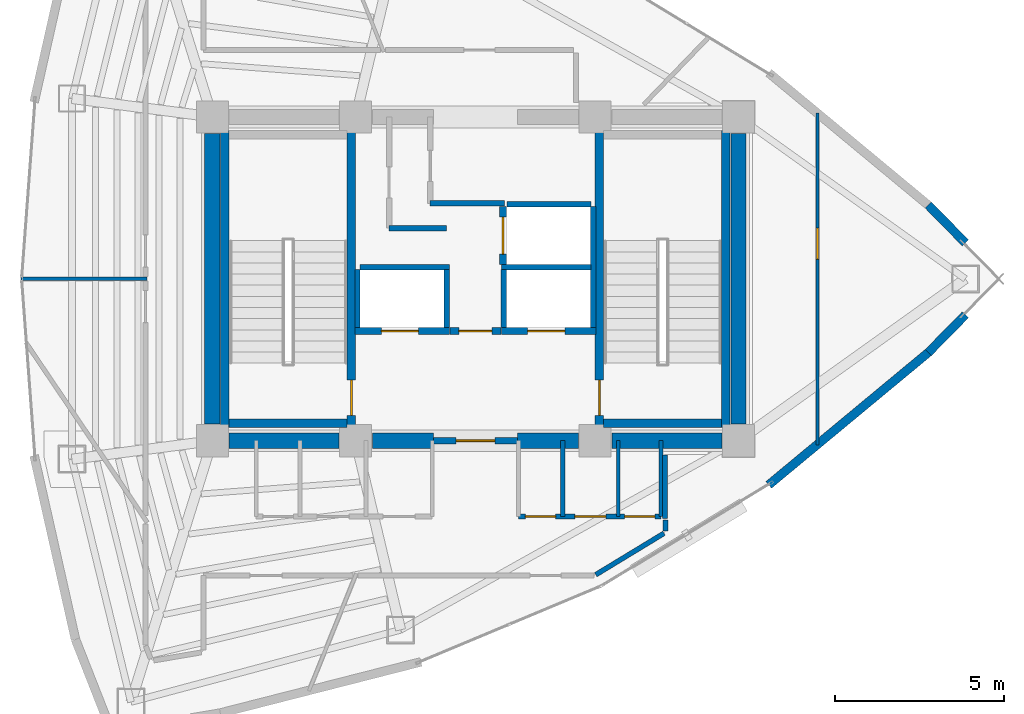
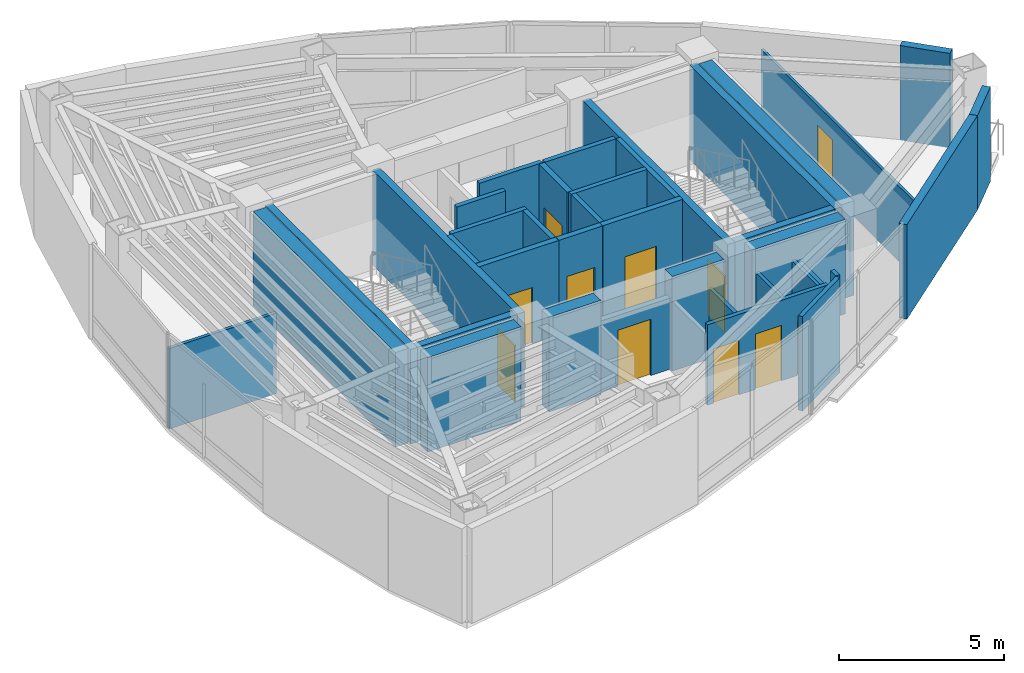
# One storey, part 12 of 15: 38 walls, 11 doors, 11 openings.
"""IFC4 building model written with IfcOpenShell, lengths in metres."""

from ifc_helpers import new_model, si_unit, direction, frame, frame_2d, origin, place, context, subcontext, project, spatial, rectangle, extrude, material, layer, layer_set, type_object, element, fill, save


model = new_model("IFC4")

# Units and contexts
model_context = context("Model", 3, precision=1e-05, world=origin(), true_north=direction((0.0, 1.0)))
body_context = subcontext(model_context, "Body", "Model", "MODEL_VIEW")
ifc_project = project(units=[si_unit("LENGTHUNIT", "METRE"), si_unit("AREAUNIT", "SQUARE_METRE"), si_unit("VOLUMEUNIT", "CUBIC_METRE"), si_unit("PLANEANGLEUNIT", "RADIAN"), si_unit("MASSUNIT", "GRAM", prefix="KILO")], contexts=[model_context])

# Site, building, storey
site_placement = place(None, origin())
site = spatial("IfcSite", under=ifc_project, at=site_placement, CompositionType="ELEMENT")
building_placement = place(site_placement, origin())
building = spatial("IfcBuilding", under=site, at=building_placement, Name="Menara Vayukalpa", CompositionType="ELEMENT")
storey_placement = place(building_placement, frame((0.0, 0.0, 269.4599609375)))
storey = spatial("IfcBuildingStorey", under=building, at=storey_placement, Name="L68", CompositionType="ELEMENT", Elevation=269.4599609375)

# Walls
ifc_material_1 = material(Name="Concrete C50/60", Category="concrete")
ifc_layer_1 = layer(ifc_material_1, 0.449951171875)
ifc_layer_set_1 = layer_set([ifc_layer_1], Name="Concrete C50/60")
wall_type_1 = type_object("IfcWallType", Name="WAL-CW450", PredefinedType="SHEAR", material=ifc_layer_set_1)
wall_1_placement = place(storey_placement, frame((18.294921875, 17.199951171875, 0.0), z_axis=(0.0, 0.0, 1.0), x_axis=(1.0, 0.0, 0.0)))
element("IfcWall", 1, at=wall_1_placement, inside=storey, type_object=wall_type_1, Name="L68 Buttressed Core Shear Wall CWS1", PredefinedType="SHEAR", context=body_context, shape_type="SweptSolid", body=[
    extrude(rectangle(XDim=3.260009765625, YDim=0.449951171875, at=frame_2d((1.6298828125, 0.0))), origin(), (0.0, 0.0, 1.0), 3.5),
])
wall_2_placement = place(storey_placement, frame((22.544921875, 17.199951171875, 0.0), z_axis=(0.0, 0.0, 1.0), x_axis=(1.0, 0.0, 0.0)))
element("IfcWall", 2, at=wall_2_placement, inside=storey, type_object=wall_type_1, Name="L68 Buttressed Core Shear Wall CWS2", PredefinedType="SHEAR", context=body_context, shape_type="SweptSolid", body=[
    extrude(rectangle(XDim=1.80517578125, YDim=0.449951171875, at=frame_2d((0.902587890625, 0.0))), origin(), (0.0, 0.0, 1.0), 3.5),
])
wall_3_placement = place(storey_placement, frame((26.85009765625, 17.199951171875, 0.0), z_axis=(0.0, 0.0, 1.0), x_axis=(1.0, 0.0, 0.0)))
element("IfcWall", 3, at=wall_3_placement, inside=storey, type_object=wall_type_1, Name="L68 Buttressed Core Shear Wall CWS3", PredefinedType="SHEAR", context=body_context, shape_type="SweptSolid", body=[
    extrude(rectangle(XDim=1.804931640625, YDim=0.449951171875, at=frame_2d((0.90234375, 0.0))), origin(), (0.0, 0.0, 1.0), 3.5),
])
wall_4_placement = place(storey_placement, frame((29.64501953125, 17.199951171875, 0.0), z_axis=(0.0, 0.0, 1.0), x_axis=(1.0, 0.0, 0.0)))
element("IfcWall", 4, at=wall_4_placement, inside=storey, type_object=wall_type_1, Name="L68 Buttressed Core Shear Wall CWS4", PredefinedType="SHEAR", context=body_context, shape_type="SweptSolid", body=[
    extrude(rectangle(XDim=3.260009765625, YDim=0.449951171875, at=frame_2d((1.6298828125, 0.0))), origin(), (0.0, 0.0, 1.0), 3.5),
])
for number, where, z_axis, x_axis, name in (
    (5, (17.800048828125, 17.695068359375, 0.0), (0.0, 0.0, 1.0), (0.0, 1.0, 0.0), "L68 Buttressed Core Shear Wall CWW1"),
    (6, (33.39990234375, 17.695068359375, 0.0), (0.0, 0.0, 1.0), (0.0, 1.0, 0.0), "L68 Buttressed Core Shear Wall CWE1"),
):
    element("IfcWall", number, at=place(storey_placement, frame(where, z_axis=z_axis, x_axis=x_axis)), inside=storey, type_object=wall_type_1, Name=name, PredefinedType="SHEAR", context=body_context, shape_type="SweptSolid", body=[
        extrude(rectangle(XDim=8.60986328125, YDim=0.449951171875, at=frame_2d((4.304931640625, 0.0))), origin(), (0.0, 0.0, 1.0), 3.5),
    ])
ifc_material_2 = material(Name="Insulated Precast Concrete C40/50", Category="concrete")
ifc_layer_2 = layer(ifc_material_2, 0.260009765625)
ifc_layer_set_2 = layer_set([ifc_layer_2], Name="Insulated Precast Concrete C40/50")
wall_type_2 = type_object("IfcWallType", Name="WAL-EXT260", PredefinedType="PARTITIONING", material=ifc_layer_set_2)
for number, where, z_axis, x_axis, name in (
    (7, (40.1240234375, 20.932861328125, 0.0), (0.0, 0.0, 1.0), (-0.700470648387, -0.71368121087, 0.0), "L68 Perimeter Terracotta Pier Wall 01"),
    (8, (39.023681640625, 24.188232421875, 0.0), (0.0, 0.0, 1.0), (0.700470648387, -0.71368121087, 0.0), "L68 Perimeter Terracotta Pier Wall 02"),
):
    element("IfcWall", number, at=place(storey_placement, frame(where, z_axis=z_axis, x_axis=x_axis)), inside=storey, type_object=wall_type_2, Name=name, PredefinedType="PARTITIONING", context=body_context, shape_type="SweptSolid", body=[
        extrude(rectangle(XDim=1.57080078125, YDim=0.260009765625, at=frame_2d((0.785400390625, 0.0))), origin(), (0.0, 0.0, 1.0), 3.5),
    ])
wall_5_placement = place(storey_placement, frame((39.032470703125, 19.81982421875, 0.0), z_axis=(0.0, 0.0, 1.0), x_axis=(-0.769779830138, -0.638309496337, 0.0)))
element("IfcWall", 9, at=wall_5_placement, inside=storey, type_object=wall_type_2, Name="L68 Perimeter Terracotta Pier Wall 18", PredefinedType="PARTITIONING", context=body_context, shape_type="SweptSolid", body=[
    extrude(rectangle(XDim=6.154052734375, YDim=0.260009765625, at=frame_2d((3.0771484375, 0.0))), origin(), (0.0, 0.0, 1.0), 3.5),
])
ifc_material_3 = material(Name="Lightweight Concrete Blockwork C16/20", Category="masonry")
ifc_layer_3 = layer(ifc_material_3, 0.159912109375)
ifc_layer_set_3 = layer_set([ifc_layer_3], Name="Lightweight Concrete Blockwork C16/20")
wall_type_3 = type_object("IfcWallType", Name="WAL-FR150", PredefinedType="PARTITIONING", material=ifc_layer_set_3)
for number, where, z_axis, x_axis, name in (
    (10, (22.10498046875, 20.56005859375, 0.0), (0.0, 0.0, 1.0), (0.0, 1.0, 0.0), "L68 Interior Partition IW-L68-SHW-WW"),
    (11, (24.7548828125, 20.56005859375, 0.0), (0.0, 0.0, 1.0), (0.0, 1.0, 0.0), "L68 Interior Partition IW-L68-SHW-W1E"),
):
    element("IfcWall", number, at=place(storey_placement, frame(where, z_axis=z_axis, x_axis=x_axis)), inside=storey, type_object=wall_type_3, Name=name, PredefinedType="PARTITIONING", context=body_context, shape_type="SweptSolid", body=[
        extrude(rectangle(XDim=1.7099609375, YDim=0.159912109375, at=frame_2d((0.85498046875, 0.0))), origin(), (0.0, 0.0, 1.0), 3.5),
    ])
wall_6_placement = place(storey_placement, frame((22.179931640625, 22.344970703125, 0.0), z_axis=(0.0, 0.0, 1.0), x_axis=(1.0, 0.0, 0.0)))
element("IfcWall", 12, at=wall_6_placement, inside=storey, type_object=wall_type_3, Name="L68 Interior Partition IW-L68-SHM-W12", PredefinedType="PARTITIONING", context=body_context, shape_type="SweptSolid", body=[
    extrude(rectangle(XDim=2.650146484375, YDim=0.159912109375, at=frame_2d((1.3251953125, 0.0))), origin(), (0.0, 0.0, 1.0), 3.5),
])
wall_7_placement = place(storey_placement, frame((29.094970703125, 20.56005859375, 0.0), z_axis=(0.0, 0.0, 1.0), x_axis=(0.0, 1.0, 0.0)))
element("IfcWall", 13, at=wall_7_placement, inside=storey, type_object=wall_type_3, Name="L68 Interior Partition IW-L68-SHW-EE", PredefinedType="PARTITIONING", context=body_context, shape_type="SweptSolid", body=[
    extrude(rectangle(XDim=3.579833984375, YDim=0.159912109375, at=frame_2d((1.7900390625, 0.0))), origin(), (0.0, 0.0, 1.0), 3.5),
])
wall_8_placement = place(storey_placement, frame((26.445068359375, 20.56005859375, 0.0), z_axis=(0.0, 0.0, 1.0), x_axis=(0.0, 1.0, 0.0)))
element("IfcWall", 14, at=wall_8_placement, inside=storey, type_object=wall_type_3, Name="L68 Interior Partition IW-L68-SHW-E1W", PredefinedType="PARTITIONING", context=body_context, shape_type="SweptSolid", body=[
    extrude(rectangle(XDim=1.7099609375, YDim=0.159912109375, at=frame_2d((0.85498046875, 0.0))), origin(), (0.0, 0.0, 1.0), 3.5),
])
wall_9_placement = place(storey_placement, frame((26.3701171875, 22.344970703125, 0.0), z_axis=(0.0, 0.0, 1.0), x_axis=(1.0, 0.0, 0.0)))
element("IfcWall", 15, at=wall_9_placement, inside=storey, type_object=wall_type_3, Name="L68 Interior Partition IW-L68-SHM-E13", PredefinedType="PARTITIONING", context=body_context, shape_type="SweptSolid", body=[
    extrude(rectangle(XDim=2.64990234375, YDim=0.159912109375, at=frame_2d((1.324951171875, 0.0))), origin(), (0.0, 0.0, 1.0), 3.5),
])
wall_10_placement = place(storey_placement, frame((26.530029296875, 24.215087890625, 0.0), z_axis=(0.0, 0.0, 1.0), x_axis=(1.0, 0.0, 0.0)))
element("IfcWall", 16, at=wall_10_placement, inside=storey, type_object=wall_type_3, Name="L68 Interior Partition IW-L68-SHM-E32", PredefinedType="PARTITIONING", context=body_context, shape_type="SweptSolid", body=[
    extrude(rectangle(XDim=2.489990234375, YDim=0.159912109375, at=frame_2d((1.2451171875, 0.0))), origin(), (0.0, 0.0, 1.0), 3.5),
])
wall_11_placement = place(storey_placement, frame((23.0400390625, 23.5, 0.0), z_axis=(0.0, 0.0, 1.0), x_axis=(1.0, 0.0, 0.0)))
element("IfcWall", 17, at=wall_11_placement, inside=storey, type_object=wall_type_3, Name="L68 Interior Partition IW-L68-LV7WA", PredefinedType="PARTITIONING", context=body_context, shape_type="SweptSolid", body=[
    extrude(rectangle(XDim=1.699951171875, YDim=0.159912109375, at=frame_2d((0.85009765625, 0.0))), origin(), (0.0, 0.0, 1.0), 3.5),
])
wall_12_placement = place(storey_placement, frame((24.260009765625, 24.239990234375, 0.0), z_axis=(0.0, 0.0, 1.0), x_axis=(1.0, 0.0, 0.0)))
element("IfcWall", 18, at=wall_12_placement, inside=storey, type_object=wall_type_3, Name="L68 Interior Partition IW-L68-LV7EA", PredefinedType="PARTITIONING", context=body_context, shape_type="SweptSolid", body=[
    extrude(rectangle(XDim=2.199951171875, YDim=0.159912109375, at=frame_2d((1.10009765625, 0.0))), origin(), (0.0, 0.0, 1.0), 3.5),
])

# Wall, opening, door
ifc_material_4 = material(Name="Lightweight Concrete Blockwork C16/20", Category="masonry")
ifc_layer_4 = layer(ifc_material_4, 0.199951171875)
ifc_layer_set_4 = layer_set([ifc_layer_4], Name="Lightweight Concrete Blockwork C16/20")
wall_type_4 = type_object("IfcWallType", Name="WAL-FR200", PredefinedType="PARTITIONING", material=ifc_layer_set_4)
wall_13_placement = place(storey_placement, frame((24.35009765625, 17.199951171875, 0.0), z_axis=(0.0, 0.0, 1.0), x_axis=(1.0, 0.0, 0.0)))
wall_13 = element("IfcWall", 19, at=wall_13_placement, inside=storey, type_object=wall_type_4, Name="L68 Interior Partition IW-L68-FFLS", PredefinedType="PARTITIONING", context=body_context, shape_type="SweptSolid", body=[
    extrude(rectangle(XDim=2.5, YDim=0.199951171875, at=frame_2d((1.25, 0.0))), origin(), (0.0, 0.0, 1.0), 2.630126953125),
])
opening_1_placement = place(wall_13_placement, frame((0.679931640625, 0.0, 0.0)))
opening_1 = element("IfcOpeningElement", 20, at=opening_1_placement, cuts=wall_13, Name="Opening ID2", PredefinedType="OPENING", context=body_context, shape_type="SweptSolid", body=[
    extrude(rectangle(XDim=1.14990234375, YDim=2.080078125, at=frame_2d((0.574951171875, 1.0400390625))), frame((0.0, 0.10986328125, 0.0), z_axis=(0.0, -1.0, 0.0), x_axis=(1.0, 0.0, 0.0)), (0.0, 0.0, 1.0), 0.219970703125),
])
ifc_material_5 = material(Name="Fire-Rated Powder-Coated Steel Door", Category="steel")
door_type_1 = type_object("IfcDoorType", Name="DR-FD60W", OperationType="NOTDEFINED", PredefinedType="DOOR", material=ifc_material_5)
door_1_placement = place(opening_1_placement, origin())
door_1 = element("IfcDoor", 21, at=door_1_placement, inside=storey, type_object=door_type_1, Name="L68 Interior Door DR-L68-FFLS", OperationType="SINGLE_SWING_RIGHT", OverallHeight=2.080078125, OverallWidth=1.14990234375, PredefinedType="DOOR", context=body_context, shape_type="SweptSolid", body=[
    extrude(rectangle(XDim=1.14990234375, YDim=2.080078125, at=frame_2d((0.574951171875, 1.0400390625))), frame((0.0, 0.02490234375, 0.0), z_axis=(0.0, -1.0, 0.0), x_axis=(1.0, 0.0, 0.0)), (0.0, 0.0, 1.0), 0.050048828125),
])
fill(opening_1, door_1)

wall_14_placement = place(storey_placement, frame((24.840087890625, 20.449951171875, 0.0), z_axis=(0.0, 0.0, 1.0), x_axis=(1.0, 0.0, 0.0)))
wall_14 = element("IfcWall", 22, at=wall_14_placement, inside=storey, type_object=wall_type_4, Name="L68 Interior Partition IW-L68-FFLN", PredefinedType="PARTITIONING", context=body_context, shape_type="SweptSolid", body=[
    extrude(rectangle(XDim=1.52001953125, YDim=0.199951171875, at=frame_2d((0.760009765625, 0.0))), origin(), (0.0, 0.0, 1.0), 3.5),
])
opening_2_placement = place(wall_14_placement, frame((0.27001953125, 0.0, 0.0)))
opening_2 = element("IfcOpeningElement", 23, at=opening_2_placement, cuts=wall_14, Name="Opening ID3", PredefinedType="OPENING", context=body_context, shape_type="SweptSolid", body=[
    extrude(rectangle(XDim=0.97998046875, YDim=2.06005859375, at=frame_2d((0.489990234375, 1.030029296875))), frame((0.0, 0.10986328125, 0.0), z_axis=(0.0, -1.0, 0.0), x_axis=(1.0, 0.0, 0.0)), (0.0, 0.0, 1.0), 0.219970703125),
])
ifc_material_6 = material(Name="Fire-Rated Powder-Coated Steel Door", Category="steel")
door_type_2 = type_object("IfcDoorType", Name="DR-FD60", OperationType="NOTDEFINED", PredefinedType="DOOR", material=ifc_material_6)
door_2_placement = place(opening_2_placement, origin())
door_2 = element("IfcDoor", 24, at=door_2_placement, inside=storey, type_object=door_type_2, Name="L68 Interior Door DR-L68-FFLN", OperationType="SINGLE_SWING_LEFT", OverallHeight=2.06005859375, OverallWidth=0.97998046875, PredefinedType="DOOR", context=body_context, shape_type="SweptSolid", body=[
    extrude(rectangle(XDim=0.97998046875, YDim=2.06005859375, at=frame_2d((0.489990234375, 1.030029296875))), frame((0.0, 0.02490234375, 0.0), z_axis=(0.0, -1.0, 0.0), x_axis=(1.0, 0.0, 0.0)), (0.0, 0.0, 1.0), 0.050048828125),
])
fill(opening_2, door_2)

wall_15_placement = place(storey_placement, frame((22.030029296875, 20.449951171875, 0.0), z_axis=(0.0, 0.0, 1.0), x_axis=(1.0, 0.0, 0.0)))
wall_15 = element("IfcWall", 25, at=wall_15_placement, inside=storey, type_object=wall_type_4, Name="L68 Interior Partition IW-L68-SH-W1", PredefinedType="PARTITIONING", context=body_context, shape_type="SweptSolid", body=[
    extrude(rectangle(XDim=2.800048828125, YDim=0.199951171875, at=frame_2d((1.39990234375, 0.0))), origin(), (0.0, 0.0, 1.0), 3.5),
])
opening_3_placement = place(wall_15_placement, frame((0.780029296875, 0.0, 0.0)))
opening_3 = element("IfcOpeningElement", 26, at=opening_3_placement, cuts=wall_15, Name="Opening LD1", PredefinedType="OPENING", context=body_context, shape_type="SweptSolid", body=[
    extrude(rectangle(XDim=1.10009765625, YDim=2.080078125, at=frame_2d((0.550048828125, 1.0400390625))), frame((0.0, 0.10986328125, 0.0), z_axis=(0.0, -1.0, 0.0), x_axis=(1.0, 0.0, 0.0)), (0.0, 0.0, 1.0), 0.219970703125),
])
ifc_material_7 = material(Name="Brushed Stainless Steel 316 Lift Door", Category="steel")
door_type_3 = type_object("IfcDoorType", Name="DR-LD110", OperationType="NOTDEFINED", PredefinedType="DOOR", material=ifc_material_7)
door_3_placement = place(opening_3_placement, origin())
door_3 = element("IfcDoor", 27, at=door_3_placement, inside=storey, type_object=door_type_3, Name="L68 Interior Door DR-L68-LD-W1", OperationType="DOUBLE_DOOR_SLIDING", OverallHeight=2.080078125, OverallWidth=1.10009765625, PredefinedType="DOOR", context=body_context, shape_type="SweptSolid", body=[
    extrude(rectangle(XDim=1.10009765625, YDim=2.080078125, at=frame_2d((0.550048828125, 1.0400390625))), frame((0.0, 0.02490234375, 0.0), z_axis=(0.0, -1.0, 0.0), x_axis=(1.0, 0.0, 0.0)), (0.0, 0.0, 1.0), 0.050048828125),
])
fill(opening_3, door_3)

wall_16_placement = place(storey_placement, frame((26.3701171875, 20.449951171875, 0.0), z_axis=(0.0, 0.0, 1.0), x_axis=(1.0, 0.0, 0.0)))
wall_16 = element("IfcWall", 28, at=wall_16_placement, inside=storey, type_object=wall_type_4, Name="L68 Interior Partition IW-L68-SH-E1", PredefinedType="PARTITIONING", context=body_context, shape_type="SweptSolid", body=[
    extrude(rectangle(XDim=2.7998046875, YDim=0.199951171875, at=frame_2d((1.39990234375, 0.0))), origin(), (0.0, 0.0, 1.0), 3.5),
])
opening_4_placement = place(wall_16_placement, frame((0.780029296875, 0.0, 0.0)))
opening_4 = element("IfcOpeningElement", 29, at=opening_4_placement, cuts=wall_16, Name="Opening LD1", PredefinedType="OPENING", context=body_context, shape_type="SweptSolid", body=[
    extrude(rectangle(XDim=1.10009765625, YDim=2.080078125, at=frame_2d((0.550048828125, 1.0400390625))), frame((0.0, 0.10986328125, 0.0), z_axis=(0.0, -1.0, 0.0), x_axis=(1.0, 0.0, 0.0)), (0.0, 0.0, 1.0), 0.219970703125),
])
door_4_placement = place(opening_4_placement, origin())
door_4 = element("IfcDoor", 30, at=door_4_placement, inside=storey, type_object=door_type_3, Name="L68 Interior Door DR-L68-LD-E1", OperationType="DOUBLE_DOOR_SLIDING", OverallHeight=2.080078125, OverallWidth=1.10009765625, PredefinedType="DOOR", context=body_context, shape_type="SweptSolid", body=[
    extrude(rectangle(XDim=1.10009765625, YDim=2.080078125, at=frame_2d((0.550048828125, 1.0400390625))), frame((0.0, 0.02490234375, 0.0), z_axis=(0.0, -1.0, 0.0), x_axis=(1.0, 0.0, 0.0)), (0.0, 0.0, 1.0), 0.050048828125),
])
fill(opening_4, door_4)

wall_17_placement = place(storey_placement, frame((26.419921875, 22.419921875, 0.0), z_axis=(0.0, 0.0, 1.0), x_axis=(0.0, 1.0, 0.0)))
wall_17 = element("IfcWall", 31, at=wall_17_placement, inside=storey, type_object=wall_type_4, Name="L68 Interior Partition IW-L68-SH-E3", PredefinedType="PARTITIONING", context=body_context, shape_type="SweptSolid", body=[
    extrude(rectangle(XDim=1.719970703125, YDim=0.199951171875, at=frame_2d((0.85986328125, 0.0))), origin(), (0.0, 0.0, 1.0), 3.5),
])
opening_5_placement = place(wall_17_placement, frame((0.31005859375, 0.0, 0.0)))
opening_5 = element("IfcOpeningElement", 32, at=opening_5_placement, cuts=wall_17, Name="Opening LD1", PredefinedType="OPENING", context=body_context, shape_type="SweptSolid", body=[
    extrude(rectangle(XDim=1.10009765625, YDim=2.080078125, at=frame_2d((0.550048828125, 1.0400390625))), frame((0.0, 0.10986328125, 0.0), z_axis=(0.0, -1.0, 0.0), x_axis=(1.0, 0.0, 0.0)), (0.0, 0.0, 1.0), 0.219970703125),
])
door_5_placement = place(opening_5_placement, origin())
door_5 = element("IfcDoor", 33, at=door_5_placement, inside=storey, type_object=door_type_3, Name="L68 Interior Door DR-L68-LD-E3", OperationType="DOUBLE_DOOR_SLIDING", OverallHeight=2.080078125, OverallWidth=1.10009765625, PredefinedType="DOOR", context=body_context, shape_type="SweptSolid", body=[
    extrude(rectangle(XDim=1.10009765625, YDim=2.080078125, at=frame_2d((0.550048828125, 1.0400390625))), frame((0.0, 0.02490234375, 0.0), z_axis=(0.0, -1.0, 0.0), x_axis=(1.0, 0.0, 0.0)), (0.0, 0.0, 1.0), 0.050048828125),
])
fill(opening_5, door_5)

ifc_material_8 = material(Name="Glazed Demountable Office Partition", Category="glass")
ifc_layer_5 = layer(ifc_material_8, 0.094970703125)
ifc_layer_set_5 = layer_set([ifc_layer_5], Name="Glazed Demountable Office Partition")
wall_type_5 = type_object("IfcWallType", Name="WAL-PT100", PredefinedType="PARTITIONING", material=ifc_layer_set_5)
wall_18_placement = place(storey_placement, frame((35.741943359375, 17.078369140625, 0.0), z_axis=(0.0, 0.0, 1.0), x_axis=(0.0, 1.0, 0.0)))
wall_18 = element("IfcWall", 34, at=wall_18_placement, inside=storey, type_object=wall_type_5, Name="L68 Interior Partition IW-L68-RDIV06", PredefinedType="PARTITIONING", context=body_context, shape_type="SweptSolid", body=[
    extrude(rectangle(XDim=9.84326171875, YDim=0.094970703125, at=frame_2d((4.921630859375, 0.0))), origin(), (0.0, 0.0, 1.0), 2.780029296875),
])
opening_6_placement = place(wall_18_placement, frame((5.507080078125, 0.0, 0.0)))
opening_6 = element("IfcOpeningElement", 35, at=opening_6_placement, cuts=wall_18, Name="Opening ID6", PredefinedType="OPENING", context=body_context, shape_type="SweptSolid", body=[
    extrude(rectangle(XDim=0.919921875, YDim=2.050048828125, at=frame_2d((0.4599609375, 1.02490234375))), frame((0.0, 0.057373046875, 0.0), z_axis=(0.0, -1.0, 0.0), x_axis=(1.0, 0.0, 0.0)), (0.0, 0.0, 1.0), 0.114990234375),
])
ifc_material_9 = material(Name="Acoustic Hardwood Veneer Timber Door", Category="wood")
door_type_4 = type_object("IfcDoorType", Name="DR-INT92", OperationType="NOTDEFINED", PredefinedType="DOOR", material=ifc_material_9)
door_6_placement = place(opening_6_placement, origin())
door_6 = element("IfcDoor", 36, at=door_6_placement, inside=storey, type_object=door_type_4, Name="L68 Interior Door DR-L68-STE05", OperationType="SINGLE_SWING_LEFT", OverallHeight=2.050048828125, OverallWidth=0.919921875, PredefinedType="DOOR", context=body_context, shape_type="SweptSolid", body=[
    extrude(rectangle(XDim=0.919921875, YDim=2.050048828125, at=frame_2d((0.4599609375, 1.02490234375))), frame((0.0, 0.02490234375, 0.0), z_axis=(0.0, -1.0, 0.0), x_axis=(1.0, 0.0, 0.0)), (0.0, 0.0, 1.0), 0.050048828125),
])
fill(opening_6, door_6)

# Walls
ifc_material_10 = material(Name="Acoustic Mineral Stud Partition", Category="masonry")
ifc_layer_6 = layer(ifc_material_10, 0.110107421875)
ifc_layer_set_6 = layer_set([ifc_layer_6], Name="Acoustic Mineral Stud Partition")
wall_type_6 = type_object("IfcWallType", Name="WAL-PT110", PredefinedType="PARTITIONING", material=ifc_layer_set_6)
wall_19_placement = place(storey_placement, frame((29.830078125, 14.949951171875, 0.0), z_axis=(0.0, 0.0, 1.0), x_axis=(0.0, 1.0, 0.0)))
element("IfcWall", 37, at=wall_19_placement, inside=storey, type_object=wall_type_6, Name="L68 Interior Partition IW-L68-SVCD-07", PredefinedType="PARTITIONING", context=body_context, shape_type="SweptSolid", body=[
    extrude(rectangle(XDim=2.25, YDim=0.110107421875, at=frame_2d((1.125, 0.0))), origin(), (0.0, 0.0, 1.0), 2.630126953125),
])
wall_20_placement = place(storey_placement, frame((15.8701171875, 22.0, 0.0), z_axis=(0.0, 0.0, 1.0), x_axis=(-1.0, 0.0, 0.0)))
element("IfcWall", 38, at=wall_20_placement, inside=storey, type_object=wall_type_6, Name="L68 Interior Partition IW-L68-RDIV03", PredefinedType="PARTITIONING", context=body_context, shape_type="SweptSolid", body=[
    extrude(rectangle(XDim=3.7421875, YDim=0.110107421875, at=frame_2d((1.87109375, 0.0))), origin(), (0.0, 0.0, 1.0), 2.97998046875),
])
ifc_material_11 = material(Name="Gypsum Drywall Steel Stud Assembly", Category="steel")
ifc_layer_7 = layer(ifc_material_11, 0.125)
ifc_layer_set_7 = layer_set([ifc_layer_7], Name="Gypsum Drywall Steel Stud Assembly")
wall_type_7 = type_object("IfcWallType", Name="WAL-PT125", PredefinedType="PARTITIONING", material=ifc_layer_set_7)
for number, where, z_axis, x_axis, name in (
    (39, (28.18994140625, 14.949951171875, 0.0), (0.0, 0.0, 1.0), (0.0, 1.0, 0.0), "L68 Interior Partition IW-L68-SVCD-06"),
    (40, (31.10009765625, 14.949951171875, 0.0), (0.0, 0.0, 1.0), (0.0, 1.0, 0.0), "L68 Interior Partition IW-L68-SVCD-08"),
):
    element("IfcWall", number, at=place(storey_placement, frame(where, z_axis=z_axis, x_axis=x_axis)), inside=storey, type_object=wall_type_7, Name=name, PredefinedType="PARTITIONING", context=body_context, shape_type="SweptSolid", body=[
        extrude(rectangle(XDim=2.25, YDim=0.125, at=frame_2d((1.125, 0.0))), origin(), (0.0, 0.0, 1.0), 2.630126953125),
    ])

# Wall, openings, doors
ifc_material_12 = material(Name="Gypsum Drywall Acoustic Stud Assembly", Category="masonry")
ifc_layer_8 = layer(ifc_material_12, 0.14501953125)
ifc_layer_set_8 = layer_set([ifc_layer_8], Name="Gypsum Drywall Acoustic Stud Assembly")
wall_type_8 = type_object("IfcWallType", Name="WAL-PT150", PredefinedType="PARTITIONING", material=ifc_layer_set_8)
wall_21_placement = place(storey_placement, frame((26.8798828125, 14.949951171875, 0.0), z_axis=(0.0, 0.0, 1.0), x_axis=(1.0, 0.0, 0.0)))
wall_21 = element("IfcWall", 41, at=wall_21_placement, inside=storey, type_object=wall_type_8, Name="L68 Interior Partition IW-L68-SVCS-E", PredefinedType="PARTITIONING", context=body_context, shape_type="SweptSolid", body=[
    extrude(rectangle(XDim=4.22021484375, YDim=0.14501953125, at=frame_2d((2.110107421875, 0.0))), origin(), (0.0, 0.0, 1.0), 2.97998046875),
])
opening_7_placement = place(wall_21_placement, frame((0.199951171875, 0.0, 0.0)))
opening_7 = element("IfcOpeningElement", 42, at=opening_7_placement, cuts=wall_21, Name="Opening ID7", PredefinedType="OPENING", context=body_context, shape_type="SweptSolid", body=[
    extrude(rectangle(XDim=0.89990234375, YDim=2.02001953125, at=frame_2d((0.449951171875, 1.010009765625))), frame((0.0, 0.08251953125, 0.0), z_axis=(0.0, -1.0, 0.0), x_axis=(1.0, 0.0, 0.0)), (0.0, 0.0, 1.0), 0.1650390625),
])
opening_8_placement = place(wall_21_placement, frame((1.669921875, 0.0, 0.0)))
opening_8 = element("IfcOpeningElement", 43, at=opening_8_placement, cuts=wall_21, Name="Opening ID6", PredefinedType="OPENING", context=body_context, shape_type="SweptSolid", body=[
    extrude(rectangle(XDim=0.919921875, YDim=2.050048828125, at=frame_2d((0.4599609375, 1.02490234375))), frame((0.0, 0.08251953125, 0.0), z_axis=(0.0, -1.0, 0.0), x_axis=(1.0, 0.0, 0.0)), (0.0, 0.0, 1.0), 0.1650390625),
])
opening_9_placement = place(wall_21_placement, frame((3.139892578125, 0.0, 0.0)))
opening_9 = element("IfcOpeningElement", 44, at=opening_9_placement, cuts=wall_21, Name="Opening ID7", PredefinedType="OPENING", context=body_context, shape_type="SweptSolid", body=[
    extrude(rectangle(XDim=0.89990234375, YDim=2.02001953125, at=frame_2d((0.449951171875, 1.010009765625))), frame((0.0, 0.08251953125, 0.0), z_axis=(0.0, -1.0, 0.0), x_axis=(1.0, 0.0, 0.0)), (0.0, 0.0, 1.0), 0.1650390625),
])
door_7_placement = place(opening_8_placement, origin())
door_7 = element("IfcDoor", 45, at=door_7_placement, inside=storey, type_object=door_type_4, Name="L68 Interior Door DR-L68-KSV2", OperationType="SINGLE_SWING_RIGHT", OverallHeight=2.050048828125, OverallWidth=0.919921875, PredefinedType="DOOR", context=body_context, shape_type="SweptSolid", body=[
    extrude(rectangle(XDim=0.919921875, YDim=2.050048828125, at=frame_2d((0.4599609375, 1.02490234375))), frame((0.0, 0.02490234375, 0.0), z_axis=(0.0, -1.0, 0.0), x_axis=(1.0, 0.0, 0.0)), (0.0, 0.0, 1.0), 0.050048828125),
])
fill(opening_8, door_7)
ifc_material_13 = material(Name="Powder-Coated Steel Riser Access Door", Category="steel")
door_type_5 = type_object("IfcDoorType", Name="DR-RISER", OperationType="NOTDEFINED", PredefinedType="DOOR", material=ifc_material_13)
door_8_placement = place(opening_7_placement, origin())
door_8 = element("IfcDoor", 46, at=door_8_placement, inside=storey, type_object=door_type_5, Name="L68 Interior Door DR-L68-KSV1", OperationType="SINGLE_SWING_LEFT", OverallHeight=2.02001953125, OverallWidth=0.89990234375, PredefinedType="DOOR", context=body_context, shape_type="SweptSolid", body=[
    extrude(rectangle(XDim=0.89990234375, YDim=2.02001953125, at=frame_2d((0.449951171875, 1.010009765625))), frame((0.0, 0.02490234375, 0.0), z_axis=(0.0, -1.0, 0.0), x_axis=(1.0, 0.0, 0.0)), (0.0, 0.0, 1.0), 0.050048828125),
])
fill(opening_7, door_8)
door_9_placement = place(opening_9_placement, origin())
door_9 = element("IfcDoor", 47, at=door_9_placement, inside=storey, type_object=door_type_5, Name="L68 Interior Door DR-L68-SMD", OperationType="SINGLE_SWING_LEFT", OverallHeight=2.02001953125, OverallWidth=0.89990234375, PredefinedType="DOOR", context=body_context, shape_type="SweptSolid", body=[
    extrude(rectangle(XDim=0.89990234375, YDim=2.02001953125, at=frame_2d((0.449951171875, 1.010009765625))), frame((0.0, 0.02490234375, 0.0), z_axis=(0.0, -1.0, 0.0), x_axis=(1.0, 0.0, 0.0)), (0.0, 0.0, 1.0), 0.050048828125),
])
fill(opening_9, door_9)

# Walls
wall_22_placement = place(storey_placement, frame((29.167724609375, 13.228515625, 0.0), z_axis=(0.0, 0.0, 1.0), x_axis=(0.854678044033, 0.519158396876, 0.0)))
element("IfcWall", 48, at=wall_22_placement, inside=storey, type_object=wall_type_8, Name="L68 Interior Partition IW-L68-CRM04-2", PredefinedType="PARTITIONING", context=body_context, shape_type="SweptSolid", body=[
    extrude(rectangle(XDim=2.36767578125, YDim=0.14501953125, at=frame_2d((1.183837890625, 0.0))), origin(), (0.0, 0.0, 1.0), 3.5),
])
wall_23_placement = place(storey_placement, frame((31.22998046875, 14.526123046875, 0.0), z_axis=(0.0, 0.0, 1.0), x_axis=(0.0, 1.0, 0.0)))
element("IfcWall", 49, at=wall_23_placement, inside=storey, type_object=wall_type_8, Name="L68 Interior Partition IW-L68-CRM04-3", PredefinedType="PARTITIONING", context=body_context, shape_type="SweptSolid", body=[
    extrude(rectangle(XDim=0.323974609375, YDim=0.14501953125, at=frame_2d((0.162109375, 0.0))), origin(), (0.0, 0.0, 1.0), 3.5),
])
wall_24_placement = place(storey_placement, frame((31.219970703125, 14.888671875, 0.0), z_axis=(0.0, 0.0, 1.0), x_axis=(0.0, 1.0, 0.0)))
element("IfcWall", 50, at=wall_24_placement, inside=storey, type_object=wall_type_8, Name="L68 Interior Partition IW-L68-CRM04-4", PredefinedType="PARTITIONING", context=body_context, shape_type="SweptSolid", body=[
    extrude(rectangle(XDim=1.891357421875, YDim=0.14501953125, at=frame_2d((0.94580078125, 0.0))), origin(), (0.0, 0.0, 1.0), 2.630126953125),
])
ifc_material_14 = material(Name="Concrete C50/60", Category="concrete")
ifc_layer_9 = layer(ifc_material_14, 0.25)
ifc_layer_set_9 = layer_set([ifc_layer_9], Name="Concrete C50/60")
wall_type_9 = type_object("IfcWallType", Name="WAL-SW250", PredefinedType="SHEAR", material=ifc_layer_set_9)
wall_25_placement = place(storey_placement, frame((18.175048828125, 17.60009765625, 0.0), z_axis=(0.0, 0.0, 1.0), x_axis=(0.0, 1.0, 0.0)))
element("IfcWall", 51, at=wall_25_placement, inside=storey, type_object=wall_type_9, Name="L68 ST1 Structural Stair Shaft Wall W", PredefinedType="SHEAR", context=body_context, shape_type="SweptSolid", body=[
    extrude(rectangle(XDim=8.7998046875, YDim=0.25, at=frame_2d((4.39990234375, 0.0))), origin(), (0.0, 0.0, 1.0), 3.5),
])

# Wall, opening, door
wall_26_placement = place(storey_placement, frame((21.925048828125, 17.60009765625, 0.0), z_axis=(0.0, 0.0, 1.0), x_axis=(0.0, 1.0, 0.0)))
wall_26 = element("IfcWall", 52, at=wall_26_placement, inside=storey, type_object=wall_type_9, Name="L68 ST1 Structural Stair Shaft Wall E", PredefinedType="SHEAR", context=body_context, shape_type="SweptSolid", body=[
    extrude(rectangle(XDim=8.7998046875, YDim=0.25, at=frame_2d((4.39990234375, 0.0))), origin(), (0.0, 0.0, 1.0), 3.5),
])
opening_10_placement = place(wall_26_placement, frame((0.35009765625, 0.0, 0.0)))
opening_10 = element("IfcOpeningElement", 53, at=opening_10_placement, cuts=wall_26, Name="Opening ID1", PredefinedType="OPENING", context=body_context, shape_type="SweptSolid", body=[
    extrude(rectangle(XDim=1.050048828125, YDim=2.080078125, at=frame_2d((0.52490234375, 1.0400390625))), frame((0.0, 0.135009765625, 0.0), z_axis=(0.0, -1.0, 0.0), x_axis=(1.0, 0.0, 0.0)), (0.0, 0.0, 1.0), 0.27001953125),
])
ifc_material_15 = material(Name="Fire-Rated Powder-Coated Steel Door", Category="steel")
door_type_6 = type_object("IfcDoorType", Name="DR-FD120", OperationType="NOTDEFINED", PredefinedType="DOOR", material=ifc_material_15)
door_10_placement = place(opening_10_placement, origin())
door_10 = element("IfcDoor", 54, at=door_10_placement, inside=storey, type_object=door_type_6, Name="L68 Stair Exit Door DR-L68-ST1", OperationType="SINGLE_SWING_LEFT", OverallHeight=2.080078125, OverallWidth=1.050048828125, PredefinedType="DOOR", context=body_context, shape_type="SweptSolid", body=[
    extrude(rectangle(XDim=1.050048828125, YDim=2.080078125, at=frame_2d((0.52490234375, 1.0400390625))), frame((0.0, 0.02490234375, 0.0), z_axis=(0.0, -1.0, 0.0), x_axis=(1.0, 0.0, 0.0)), (0.0, 0.0, 1.0), 0.050048828125),
])
fill(opening_10, door_10)

# Wall
wall_27_placement = place(storey_placement, frame((18.300048828125, 17.72509765625, 0.0), z_axis=(0.0, 0.0, 1.0), x_axis=(1.0, 0.0, 0.0)))
element("IfcWall", 55, at=wall_27_placement, inside=storey, type_object=wall_type_9, Name="L68 ST1 Structural Stair Shaft Wall S", PredefinedType="SHEAR", context=body_context, shape_type="SweptSolid", body=[
    extrude(rectangle(XDim=3.5, YDim=0.25, at=frame_2d((1.75, 0.0))), origin(), (0.0, 0.0, 1.0), 3.5),
])

# Wall, opening, door
wall_28_placement = place(storey_placement, frame((29.27490234375, 17.60009765625, 0.0), z_axis=(0.0, 0.0, 1.0), x_axis=(0.0, 1.0, 0.0)))
wall_28 = element("IfcWall", 56, at=wall_28_placement, inside=storey, type_object=wall_type_9, Name="L68 ST2 Structural Stair Shaft Wall W", PredefinedType="SHEAR", context=body_context, shape_type="SweptSolid", body=[
    extrude(rectangle(XDim=8.7998046875, YDim=0.25, at=frame_2d((4.39990234375, 0.0))), origin(), (0.0, 0.0, 1.0), 3.5),
])
opening_11_placement = place(wall_28_placement, frame((0.35009765625, 0.0, 0.0)))
opening_11 = element("IfcOpeningElement", 57, at=opening_11_placement, cuts=wall_28, Name="Opening ID1", PredefinedType="OPENING", context=body_context, shape_type="SweptSolid", body=[
    extrude(rectangle(XDim=1.050048828125, YDim=2.080078125, at=frame_2d((0.52490234375, 1.0400390625))), frame((0.0, 0.135009765625, 0.0), z_axis=(0.0, -1.0, 0.0), x_axis=(1.0, 0.0, 0.0)), (0.0, 0.0, 1.0), 0.27001953125),
])
door_11_placement = place(opening_11_placement, origin())
door_11 = element("IfcDoor", 58, at=door_11_placement, inside=storey, type_object=door_type_6, Name="L68 Stair Exit Door DR-L68-ST2", OperationType="SINGLE_SWING_RIGHT", OverallHeight=2.080078125, OverallWidth=1.050048828125, PredefinedType="DOOR", context=body_context, shape_type="SweptSolid", body=[
    extrude(rectangle(XDim=1.050048828125, YDim=2.080078125, at=frame_2d((0.52490234375, 1.0400390625))), frame((0.0, 0.02490234375, 0.0), z_axis=(0.0, -1.0, 0.0), x_axis=(1.0, 0.0, 0.0)), (0.0, 0.0, 1.0), 0.050048828125),
])
fill(opening_11, door_11)

# Walls
wall_29_placement = place(storey_placement, frame((33.02490234375, 17.60009765625, 0.0), z_axis=(0.0, 0.0, 1.0), x_axis=(0.0, 1.0, 0.0)))
element("IfcWall", 59, at=wall_29_placement, inside=storey, type_object=wall_type_9, Name="L68 ST2 Structural Stair Shaft Wall E", PredefinedType="SHEAR", context=body_context, shape_type="SweptSolid", body=[
    extrude(rectangle(XDim=8.7998046875, YDim=0.25, at=frame_2d((4.39990234375, 0.0))), origin(), (0.0, 0.0, 1.0), 3.5),
])
wall_30_placement = place(storey_placement, frame((29.39990234375, 17.72509765625, 0.0), z_axis=(0.0, 0.0, 1.0), x_axis=(1.0, 0.0, 0.0)))
element("IfcWall", 60, at=wall_30_placement, inside=storey, type_object=wall_type_9, Name="L68 ST2 Structural Stair Shaft Wall S", PredefinedType="SHEAR", context=body_context, shape_type="SweptSolid", body=[
    extrude(rectangle(XDim=3.5, YDim=0.25, at=frame_2d((1.75, 0.0))), origin(), (0.0, 0.0, 1.0), 3.5),
])

save(model, "model.ifc")
